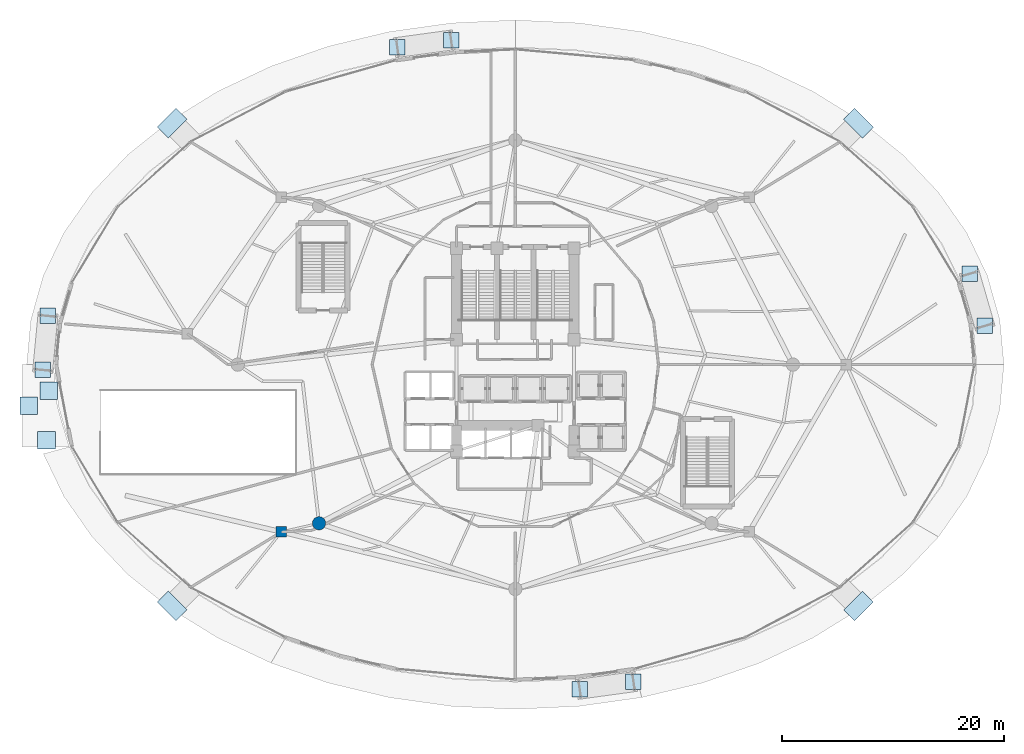
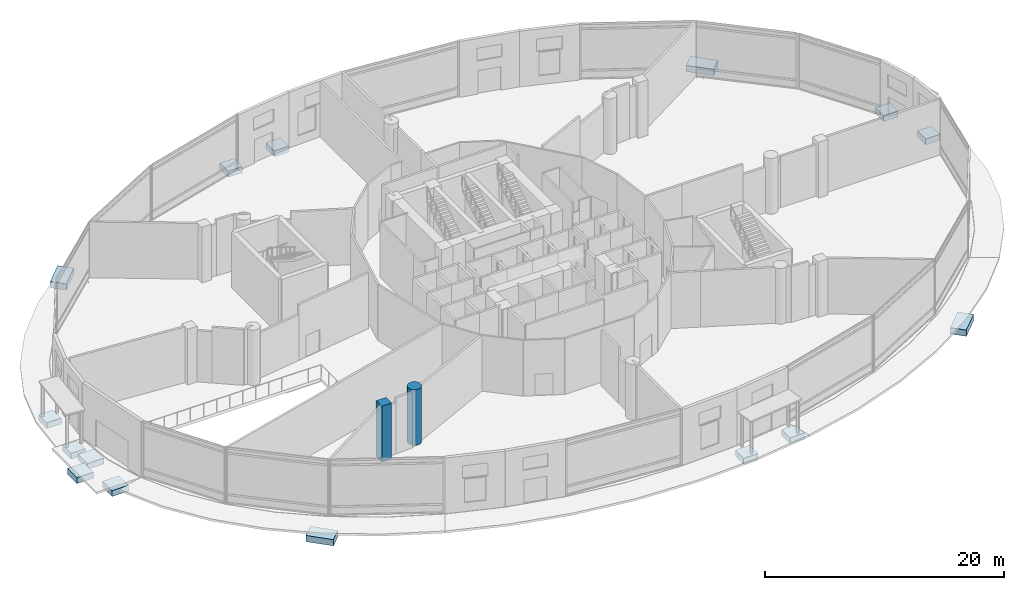
# One storey, part 1 of 40: 15 footings, 2 columns.
"""IFC4 building model written with IfcOpenShell, lengths in metres."""

from ifc_helpers import new_model, si_unit, direction, frame, origin, origin_2d, place, context, subcontext, project, spatial, rectangle, circle, extrude, material, layer, layer_set, material_profile, profile_set, type_object, element, save


model = new_model("IFC4")

# Units and contexts
model_context = context("Model", 3, precision=1e-05, world=origin(), true_north=direction((0.0, 1.0)))
body_context = subcontext(model_context, "Body", "Model", "MODEL_VIEW")
ifc_project = project(units=[si_unit("LENGTHUNIT", "METRE"), si_unit("AREAUNIT", "SQUARE_METRE"), si_unit("VOLUMEUNIT", "CUBIC_METRE"), si_unit("PLANEANGLEUNIT", "RADIAN"), si_unit("MASSUNIT", "GRAM", prefix="KILO")], contexts=[model_context])

# Site, building, storey
site_placement = place(None, origin())
site = spatial("IfcSite", under=ifc_project, at=site_placement, CompositionType="ELEMENT")
building_placement = place(site_placement, origin())
building = spatial("IfcBuilding", under=site, at=building_placement, Name="Nuhasar Tower", CompositionType="ELEMENT")
storey_placement = place(building_placement, origin())
storey = spatial("IfcBuildingStorey", under=building, at=storey_placement, Name="L00", CompositionType="ELEMENT", Elevation=0.0)

# Footings
ifc_material_1 = material(Name="Concrete C40/50", Category="concrete")
ifc_layer = layer(ifc_material_1, 0.60009765625)
ifc_layer_set = layer_set([ifc_layer], Name="Concrete C40/50")
footing_type = type_object("IfcFootingType", Name="FTG-STRIP-600", PredefinedType="STRIP_FOOTING", material=ifc_layer_set)
for number, where, z_axis, x_axis, name in (
    (1, (-3.10009765625, 24.449951171875, -0.820068359375), (0.0, 0.0, 1.0), (1.0, 0.0, 0.0), "L00 Driveway Apron Grade Footing 1"),
    (2, (-3.300048828125, 19.97705078125, -0.820068359375), (0.0, 0.0, 1.0), (1.0, 0.0, 0.0), "L00 Driveway Apron Grade Footing 2"),
    (3, (-4.89990234375, 23.087890625, -0.820068359375), (0.0, 0.0, 1.0), (1.0, 0.0, 0.0), "L00 Driveway Apron Grade Footing 3"),
):
    element("IfcFooting", number, at=place(storey_placement, frame(where, z_axis=z_axis, x_axis=x_axis)), inside=storey, type_object=footing_type, Name=name, PredefinedType="STRIP_FOOTING", context=body_context, shape_type="SweptSolid", body=[
        extrude(rectangle(XDim=1.60009765625, YDim=1.60009765625, at=origin_2d()), origin(), (0.0, 0.0, 1.0), 0.60009765625),
    ])
for number, where, z_axis, x_axis, name in (
    (4, (69.970947265625, 48.5791015625, -0.83984375), (0.0, 0.0, 1.0), (0.707106781187, 0.707106781187, 0.0), "L00 Accessible Ramp Toe Footing NE"),
    (5, (8.029052734375, 48.5791015625, -0.83984375), (0.0, 0.0, 1.0), (-0.707106781187, 0.707106781187, 0.0), "L00 Accessible Ramp Toe Footing NW"),
    (6, (8.029052734375, 5.02099609375, -0.83984375), (0.0, 0.0, 1.0), (-0.707106781187, -0.707106781187, 0.0), "L00 Accessible Ramp Toe Footing SW"),
    (7, (69.970947265625, 5.02099609375, -0.83984375), (0.0, 0.0, 1.0), (0.707106781187, -0.707106781187, 0.0), "L00 Accessible Ramp Toe Footing SE"),
):
    element("IfcFooting", number, at=place(storey_placement, frame(where, z_axis=z_axis, x_axis=x_axis)), inside=storey, type_object=footing_type, Name=name, PredefinedType="STRIP_FOOTING", context=body_context, shape_type="SweptSolid", body=[
        extrude(rectangle(XDim=1.39990234375, YDim=2.39990234375, at=origin_2d()), origin(), (0.0, 0.0, 1.0), 0.639892578125),
    ])
for number, where, z_axis, x_axis, name in (
    (8, (81.35302734375, 30.29296875, -0.820068359375), (0.0, 0.0, 1.0), (1.0, 0.0, 0.0), "L00 Canopy Post Footing East 1"),
    (9, (79.989013671875, 34.9990234375, -0.820068359375), (0.0, 0.0, 1.0), (1.0, 0.0, 0.0), "L00 Canopy Post Footing East 2"),
    (10, (33.197998046875, 56.0849609375, -0.820068359375), (0.0, 0.0, 1.0), (1.0, 0.0, 0.0), "L00 Canopy Post Footing North 1"),
    (11, (28.343017578125, 55.422119140625, -0.820068359375), (0.0, 0.0, 1.0), (1.0, 0.0, 0.0), "L00 Canopy Post Footing North 2"),
    (12, (-3.18310546875, 31.199951171875, -0.820068359375), (0.0, 0.0, 1.0), (1.0, 0.0, 0.0), "L00 Canopy Post Footing NorthWest 1"),
    (13, (-3.64892578125, 26.322998046875, -0.820068359375), (0.0, 0.0, 1.0), (1.0, 0.0, 0.0), "L00 Canopy Post Footing NorthWest 2"),
    (14, (44.802001953125, -2.485107421875, -0.820068359375), (0.0, 0.0, 1.0), (1.0, 0.0, 0.0), "L00 Canopy Post Footing South 1"),
    (15, (49.656982421875, -1.822021484375, -0.820068359375), (0.0, 0.0, 1.0), (1.0, 0.0, 0.0), "L00 Canopy Post Footing South 2"),
):
    element("IfcFooting", number, at=place(storey_placement, frame(where, z_axis=z_axis, x_axis=x_axis)), inside=storey, type_object=footing_type, Name=name, PredefinedType="STRIP_FOOTING", context=body_context, shape_type="SweptSolid", body=[
        extrude(rectangle(XDim=1.39990234375, YDim=1.39990234375, at=origin_2d()), origin(), (0.0, 0.0, 1.0), 0.60009765625),
    ])

# Columns
ifc_material_2 = material(Name="Concrete C80/95", Category="concrete")
ifc_material_profile_1 = material_profile(ifc_material_2, circle(Radius=0.60009765625, at=origin_2d()), Name="CFT1200")
ifc_profile_set_1 = profile_set([ifc_material_profile_1], Name="Concrete C80/95")
column_type_1 = type_object("IfcColumnType", Name="COL-CFT-1200", PredefinedType="COLUMN", material=ifc_profile_set_1)
column_1_placement = place(storey_placement, frame((21.287109375, 12.48095703125, 0.0), z_axis=(0.0, 0.0, 1.0), x_axis=(1.0, 0.0, 0.0)))
element("IfcColumn", 16, at=column_1_placement, inside=storey, type_object=column_type_1, Name="L00 Perimeter Composite Column TC-16", PredefinedType="COLUMN", context=body_context, shape_type="SweptSolid", body=[
    extrude(circle(Radius=0.60009765625, at=origin_2d()), origin(), (0.0, 0.0, 1.0), 5.699951171875),
])
ifc_material_3 = material(Name="Concrete C60/75", Category="concrete")
ifc_material_profile_2 = material_profile(ifc_material_3, rectangle(XDim=0.949951171875, YDim=0.949951171875, at=origin_2d()), Name="RC950X950")
ifc_profile_set_2 = profile_set([ifc_material_profile_2], Name="Concrete C60/75")
column_type_2 = type_object("IfcColumnType", Name="COL-POD-950", PredefinedType="COLUMN", material=ifc_profile_set_2)
column_2_placement = place(storey_placement, frame((17.89306640625, 11.702880859375, 0.0), z_axis=(0.0, 0.0, 1.0), x_axis=(1.0, 0.0, 0.0)))
element("IfcColumn", 17, at=column_2_placement, inside=storey, type_object=column_type_2, Name="L00 Podium Perimeter Column PC-05", PredefinedType="COLUMN", context=body_context, shape_type="SweptSolid", body=[
    extrude(rectangle(XDim=0.949951171875, YDim=0.949951171875, at=origin_2d()), origin(), (0.0, 0.0, 1.0), 5.699951171875),
])

save(model, "model.ifc")
